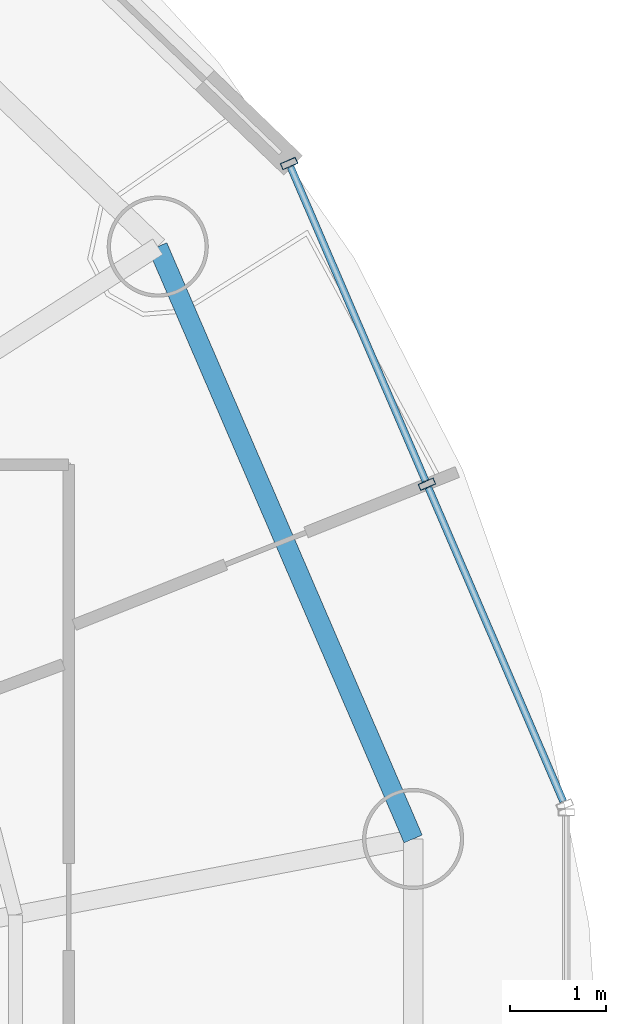
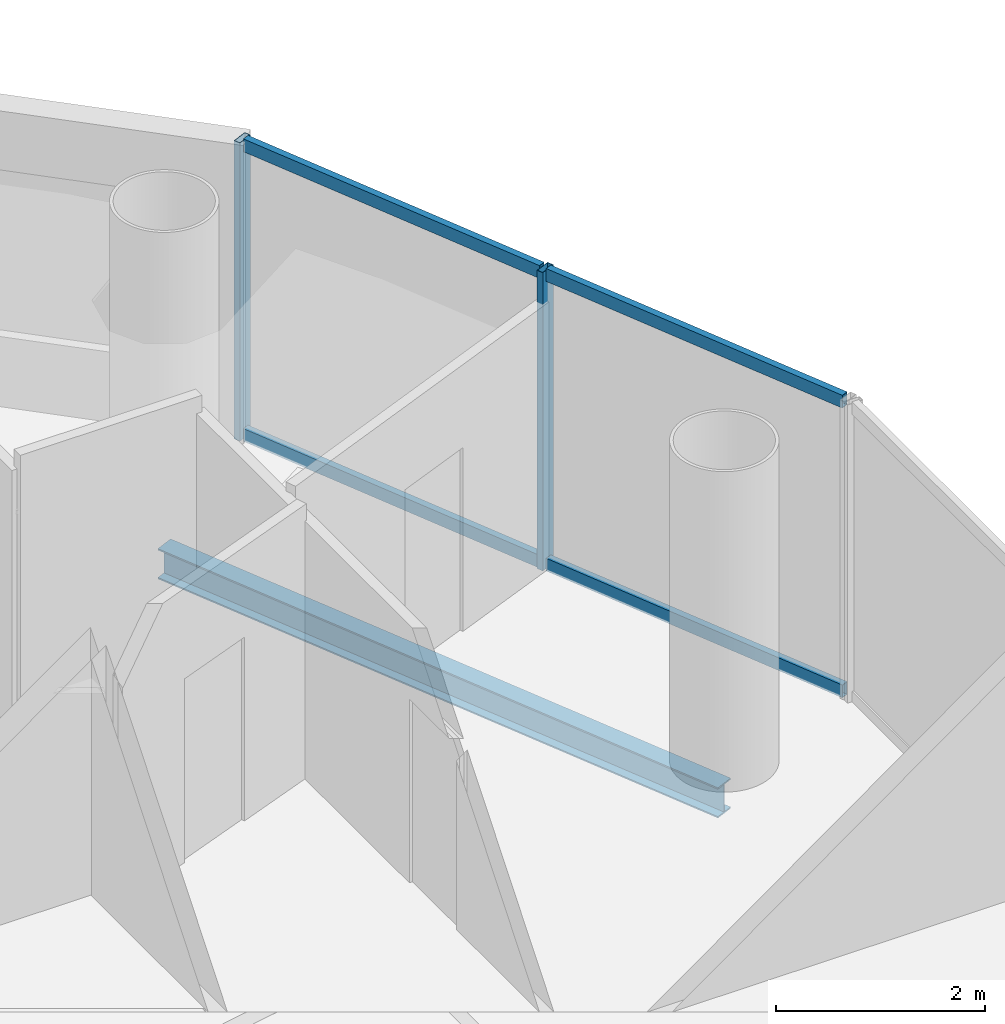
# One storey, part 11 of 22: 6 members, 1 beam, 1 element without a shape of its own.
"""IFC4 building model written with IfcOpenShell, lengths in metres."""

from ifc_helpers import new_model, si_unit, direction, frame, origin, origin_2d, place, context, subcontext, project, spatial, hollow_rectangle, i_section, extrude, source, transform, mapped, material, material_profile, profile_set, type_object, element, aggregate, save


model = new_model("IFC4")

# Units and contexts
model_context = context("Model", 3, precision=1e-05, world=origin(), true_north=direction((-0.2419218956, 0.970295726276)))
body_context = subcontext(model_context, "Body", "Model", "MODEL_VIEW")
ifc_project = project(units=[si_unit("LENGTHUNIT", "METRE"), si_unit("AREAUNIT", "SQUARE_METRE"), si_unit("VOLUMEUNIT", "CUBIC_METRE"), si_unit("PLANEANGLEUNIT", "RADIAN"), si_unit("MASSUNIT", "GRAM", prefix="KILO")], contexts=[model_context])

# Site, building, storey
site_placement = place(None, origin())
site = spatial("IfcSite", under=ifc_project, at=site_placement, CompositionType="ELEMENT")
building_placement = place(site_placement, origin())
building = spatial("IfcBuilding", under=site, at=building_placement, Name="Cobrevalo Terracotta Tower", CompositionType="ELEMENT")
storey_placement = place(building_placement, frame((0.0, 0.0, 289.449951171875)))
storey = spatial("IfcBuildingStorey", under=building, at=storey_placement, Name="L76", CompositionType="ELEMENT", Elevation=289.449951171875)

# Beam
ifc_material_1 = material(Name="Steel S355", Category="steel")
ifc_material_profile_1 = material_profile(ifc_material_1, i_section(OverallWidth=0.205078125, OverallDepth=0.35400390625, WebThickness=0.009521484375, FlangeThickness=0.016845703125, at=origin_2d()), Name="W 360x79")
ifc_profile_set_1 = profile_set([ifc_material_profile_1], Name="Steel S355")
beam_type = type_object("IfcBeamType", Name="Structural Spandrel W 360x79 (Steel S355)", PredefinedType="SPANDREL", material=ifc_profile_set_1)
beam_placement = place(storey_placement, frame((55.408935546875, 30.126220703125, -0.43701171875), z_axis=(-0.395974127655, 0.918261667624, 0.0), x_axis=(-0.918261667624, -0.395974127655, 0.0)))
element("IfcBeam", 1, at=beam_placement, inside=storey, type_object=beam_type, Name="L76 perimeter ring spandrel 01", PredefinedType="SPANDREL", context=body_context, shape_type="SweptSolid", body=[
    extrude(i_section(OverallWidth=0.205078125, OverallDepth=0.35400390625, WebThickness=0.009521484375, FlangeThickness=0.016845703125, at=origin_2d()), origin(), (0.0, 0.0, 1.0), 6.693359375),
])

# Curtain wall, members
ifc_material_2 = material(Name="Anodized aluminium", Category="aluminium")
curtain_wall_type = type_object("IfcCurtainWallType", Name="Upper-tower triple-glazed penthouse curtain wall CW-U3", PredefinedType="NOTDEFINED", material=ifc_material_2)
curtain_wall_placement = place(storey_placement, origin())
curtain_wall = element("IfcCurtainWall", 2, at=curtain_wall_placement, inside=storey, type_object=curtain_wall_type, Name="L76 curtain wall CW-L76-S01", PredefinedType="NOTDEFINED")
ifc_material_profile_2 = material_profile(ifc_material_2, hollow_rectangle(XDim=0.070068359375, YDim=0.169921875, WallThickness=0.00439453125, at=origin_2d()), Name="CWM 70x170")
ifc_profile_set_2 = profile_set([ifc_material_profile_2], Name="Anodized aluminium")
member_type_1 = type_object("IfcMemberType", Name="Upper tower unitised mullion 70x170", PredefinedType="MULLION", material=ifc_profile_set_2)
shared_shape_1 = source(origin(), body_context, "Body", "SweptSolid", [
    extrude(hollow_rectangle(XDim=0.070068359375, YDim=0.169921875, WallThickness=0.00439453125, at=origin_2d()), origin(), (0.0, 0.0, 1.0), 3.489990234375),
])
member_1_placement = place(storey_placement, frame((55.5517578125, 33.807373046875, 0.0), z_axis=(0.0, 0.0, 1.0), x_axis=(-0.39482403454, 0.91875675875, 0.0)))
member_1 = element("IfcMember", 3, at=member_1_placement, type_object=member_type_1, Name="CW-L76-S01 vertical mullion 02", PredefinedType="MULLION", context=body_context, shape_type="MappedRepresentation", body=[
    mapped(shared_shape_1, transform((0.0, 0.0, 0.0), scale=1.0)),
])
member_2_placement = place(storey_placement, frame((54.121337890625, 37.1357421875, 0.0), z_axis=(0.0, 0.0, 1.0), x_axis=(-0.39482403454, 0.91875675875, 0.0)))
member_2 = element("IfcMember", 4, at=member_2_placement, type_object=member_type_1, Name="CW-L76-S01 vertical mullion 03", PredefinedType="MULLION", context=body_context, shape_type="MappedRepresentation", body=[
    mapped(shared_shape_1, transform((0.0, 0.0, 0.0), scale=1.0)),
])
ifc_material_profile_3 = material_profile(ifc_material_2, hollow_rectangle(XDim=0.074951171875, YDim=0.14990234375, WallThickness=0.00439453125, at=origin_2d()), Name="CWT 75x150")
ifc_profile_set_3 = profile_set([ifc_material_profile_3], Name="Anodized aluminium")
member_type_2 = type_object("IfcMemberType", Name="Tower unitised aluminium transom 75x150", PredefinedType="USERDEFINED", material=ifc_profile_set_3)
shared_shape_2 = source(origin(), body_context, "Body", "SweptSolid", [
    extrude(hollow_rectangle(XDim=0.074951171875, YDim=0.14990234375, WallThickness=0.00439453125, at=origin_2d()), origin(), (0.0, 0.0, 1.0), 3.54248046875),
])
member_3_placement = place(storey_placement, frame((55.535888671875, 33.84423828125, 0.050048828125), z_axis=(-0.394834055841, 0.918752452159, 0.0), x_axis=(-0.918752452159, -0.394834055841, 0.0)))
member_3 = element("IfcMember", 5, at=member_3_placement, type_object=member_type_2, Name="CW-L76-S01 transom B02-T1", ObjectType="TRANSOM", PredefinedType="USERDEFINED", context=body_context, shape_type="MappedRepresentation", body=[
    mapped(shared_shape_2, transform((0.0, 0.0, 0.0), scale=1.0)),
])
member_4_placement = place(storey_placement, frame((55.535888671875, 33.84423828125, 3.43994140625), z_axis=(-0.394834055841, 0.918752452159, 0.0), x_axis=(-0.918752452159, -0.394834055841, 0.0)))
member_4 = element("IfcMember", 6, at=member_4_placement, type_object=member_type_2, Name="CW-L76-S01 transom B02-T2", ObjectType="TRANSOM", PredefinedType="USERDEFINED", context=body_context, shape_type="MappedRepresentation", body=[
    mapped(shared_shape_2, transform((0.0, 0.0, 0.0), scale=1.0)),
])
shared_shape_3 = source(origin(), body_context, "Body", "SweptSolid", [
    extrude(hollow_rectangle(XDim=0.074951171875, YDim=0.14990234375, WallThickness=0.00439453125, at=origin_2d()), origin(), (0.0, 0.0, 1.0), 3.542724609375),
])
member_5_placement = place(storey_placement, frame((56.96630859375, 30.515869140625, 0.050048828125), z_axis=(-0.394867226589, 0.918738196314, 0.0), x_axis=(-0.918738196314, -0.394867226589, 0.0)))
member_5 = element("IfcMember", 7, at=member_5_placement, type_object=member_type_2, Name="CW-L76-S01 transom B01-T1", ObjectType="TRANSOM", PredefinedType="USERDEFINED", context=body_context, shape_type="MappedRepresentation", body=[
    mapped(shared_shape_3, transform((0.0, 0.0, 0.0), scale=1.0)),
])
member_6_placement = place(storey_placement, frame((56.96630859375, 30.515869140625, 3.43994140625), z_axis=(-0.394867226589, 0.918738196314, 0.0), x_axis=(-0.918738196314, -0.394867226589, 0.0)))
member_6 = element("IfcMember", 8, at=member_6_placement, type_object=member_type_2, Name="CW-L76-S01 transom B01-T2", ObjectType="TRANSOM", PredefinedType="USERDEFINED", context=body_context, shape_type="MappedRepresentation", body=[
    mapped(shared_shape_3, transform((0.0, 0.0, 0.0), scale=1.0)),
])
aggregate(curtain_wall, [member_1, member_2, member_5, member_6, member_3, member_4])

save(model, "model.ifc")
